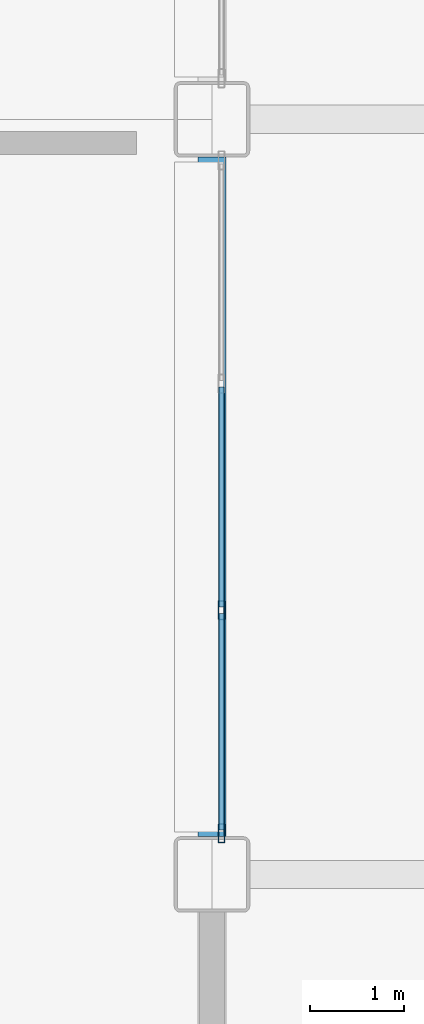
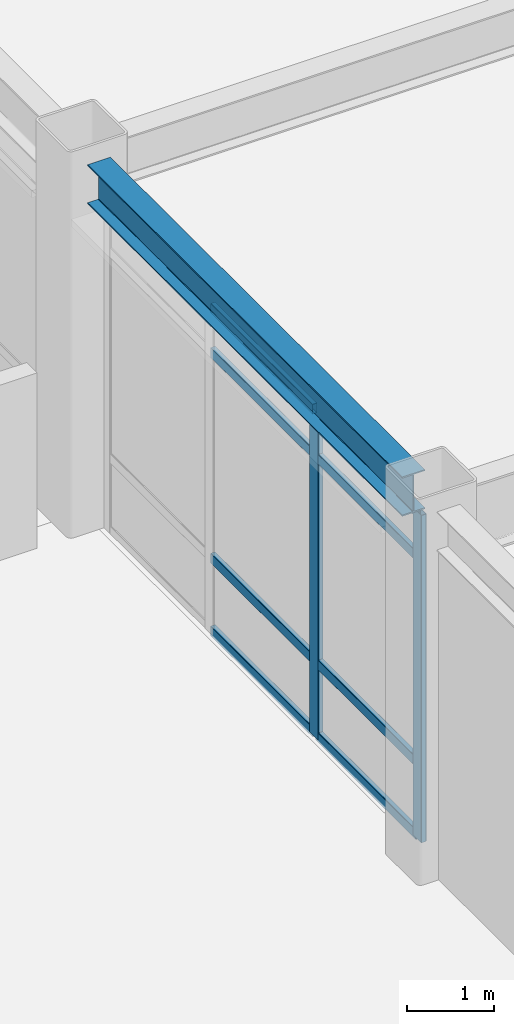
# One storey, part 103 of 165: 10 members, 1 beam, 1 element without a shape of its own.
"""IFC4 building model written with IfcOpenShell, lengths in metres."""

from ifc_helpers import new_model, si_unit, direction, frame, origin, origin_2d, place, context, subcontext, project, spatial, hollow_rectangle, i_section, extrude, material, layer, layer_set, material_profile, profile_set, type_object, element, aggregate, save


model = new_model("IFC4")

# Units and contexts
model_context = context("Model", 3, precision=1e-05, world=origin(), true_north=direction((0.0, 1.0)))
body_context = subcontext(model_context, "Body", "Model", "MODEL_VIEW")
ifc_project = project(units=[si_unit("LENGTHUNIT", "METRE"), si_unit("AREAUNIT", "SQUARE_METRE"), si_unit("VOLUMEUNIT", "CUBIC_METRE"), si_unit("PLANEANGLEUNIT", "RADIAN"), si_unit("MASSUNIT", "GRAM", prefix="KILO")], contexts=[model_context])

# Site, building, storey
site_placement = place(None, origin())
site = spatial("IfcSite", under=ifc_project, at=site_placement, CompositionType="ELEMENT")
building_placement = place(site_placement, origin())
building = spatial("IfcBuilding", under=site, at=building_placement, Name="Kazehara Bluff Congress Hotel", CompositionType="ELEMENT")
storey_placement = place(building_placement, origin())
storey = spatial("IfcBuildingStorey", under=building, at=storey_placement, Name="L00", CompositionType="ELEMENT", Elevation=0.0)

# Curtain wall, members
ifc_material_1 = material(Name="Anodised aluminium", Category="aluminium")
ifc_layer = layer(ifc_material_1, 0.159912109375)
ifc_layer_set = layer_set([ifc_layer], Name="Anodised aluminium")
curtain_wall_type = type_object("IfcCurtainWallType", Name="TP-CW-104", PredefinedType="NOTDEFINED", material=ifc_layer_set)
curtain_wall_placement = place(storey_placement, origin())
curtain_wall = element("IfcCurtainWall", 1, at=curtain_wall_placement, inside=storey, type_object=curtain_wall_type, Name="L00 curtain wall CW-104 CW-ENC-V5-L00-14380-9290", PredefinedType="NOTDEFINED")
ifc_material_2 = material(Name="Anodised aluminium", Category="aluminium")
ifc_material_profile_1 = material_profile(ifc_material_2, hollow_rectangle(XDim=0.070068359375, YDim=0.199951171875, WallThickness=0.0048828125, InnerFilletRadius=0.0048828125, OuterFilletRadius=0.010009765625, at=origin_2d()))
ifc_profile_set_1 = profile_set([ifc_material_profile_1], Name="Anodised aluminium")
member_type_1 = type_object("IfcMemberType", Name="TP-CWM-03", PredefinedType="MULLION", material=ifc_profile_set_1)
member_1_placement = place(storey_placement, frame((143.800048828125, 89.3349609375, 0.0), z_axis=(0.0, 0.0, 1.0), x_axis=(-1.0, 0.0, 0.0)))
member_1 = element("IfcMember", 2, at=member_1_placement, type_object=member_type_1, Name="CW-104 mullion 1", PredefinedType="MULLION", context=body_context, shape_type="SweptSolid", body=[
    extrude(hollow_rectangle(XDim=0.070068359375, YDim=0.199951171875, WallThickness=0.0048828125, InnerFilletRadius=0.0048828125, OuterFilletRadius=0.010009765625, at=origin_2d()), origin(), (0.0, 0.0, 1.0), 4.574951171875),
])
member_2_placement = place(storey_placement, frame((143.800048828125, 91.699951171875, 0.0), z_axis=(0.0, 0.0, 1.0), x_axis=(-1.0, 0.0, 0.0)))
member_2 = element("IfcMember", 3, at=member_2_placement, type_object=member_type_1, Name="CW-104 mullion 2", PredefinedType="MULLION", context=body_context, shape_type="SweptSolid", body=[
    extrude(hollow_rectangle(XDim=0.070068359375, YDim=0.199951171875, WallThickness=0.0048828125, InnerFilletRadius=0.0048828125, OuterFilletRadius=0.010009765625, at=origin_2d()), origin(), (0.0, 0.0, 1.0), 4.574951171875),
])
ifc_material_3 = material(Name="Anodised aluminium", Category="aluminium")
ifc_material_profile_2 = material_profile(ifc_material_3, hollow_rectangle(XDim=0.06494140625, YDim=0.139892578125, WallThickness=0.00390625, InnerFilletRadius=0.00390625, OuterFilletRadius=0.008056640625, at=origin_2d()))
ifc_profile_set_2 = profile_set([ifc_material_profile_2], Name="Anodised aluminium")
member_type_2 = type_object("IfcMemberType", Name="TP-CWT-02", PredefinedType="USERDEFINED", material=ifc_profile_set_2)
member_3_placement = place(storey_placement, frame((143.800048828125, 89.3701171875, 0.032470703125), z_axis=(0.0, 1.0, 0.0), x_axis=(-1.0, 0.0, 0.0)))
member_3 = element("IfcMember", 4, at=member_3_placement, type_object=member_type_2, Name="CW-104 transom 1.1", ObjectType="TRANSOM", PredefinedType="USERDEFINED", context=body_context, shape_type="SweptSolid", body=[
    extrude(hollow_rectangle(XDim=0.06494140625, YDim=0.139892578125, WallThickness=0.00390625, InnerFilletRadius=0.00390625, OuterFilletRadius=0.008056640625, at=origin_2d()), origin(), (0.0, 0.0, 1.0), 2.294921875),
])
member_4_placement = place(storey_placement, frame((143.800048828125, 89.3701171875, 1.050048828125), z_axis=(0.0, 1.0, 0.0), x_axis=(-1.0, 0.0, 0.0)))
member_4 = element("IfcMember", 5, at=member_4_placement, type_object=member_type_2, Name="CW-104 transom 1.2", ObjectType="TRANSOM", PredefinedType="USERDEFINED", context=body_context, shape_type="SweptSolid", body=[
    extrude(hollow_rectangle(XDim=0.06494140625, YDim=0.139892578125, WallThickness=0.00390625, InnerFilletRadius=0.00390625, OuterFilletRadius=0.008056640625, at=origin_2d()), origin(), (0.0, 0.0, 1.0), 2.294921875),
])
member_5_placement = place(storey_placement, frame((143.800048828125, 89.3701171875, 3.925048828125), z_axis=(0.0, 1.0, 0.0), x_axis=(-1.0, 0.0, 0.0)))
member_5 = element("IfcMember", 6, at=member_5_placement, type_object=member_type_2, Name="CW-104 transom 1.3", ObjectType="TRANSOM", PredefinedType="USERDEFINED", context=body_context, shape_type="SweptSolid", body=[
    extrude(hollow_rectangle(XDim=0.06494140625, YDim=0.139892578125, WallThickness=0.00390625, InnerFilletRadius=0.00390625, OuterFilletRadius=0.008056640625, at=origin_2d()), origin(), (0.0, 0.0, 1.0), 2.294921875),
])
member_6_placement = place(storey_placement, frame((143.800048828125, 89.3701171875, 4.54248046875), z_axis=(0.0, 1.0, 0.0), x_axis=(-1.0, 0.0, 0.0)))
member_6 = element("IfcMember", 7, at=member_6_placement, type_object=member_type_2, Name="CW-104 transom 1.4", ObjectType="TRANSOM", PredefinedType="USERDEFINED", context=body_context, shape_type="SweptSolid", body=[
    extrude(hollow_rectangle(XDim=0.06494140625, YDim=0.139892578125, WallThickness=0.00390625, InnerFilletRadius=0.00390625, OuterFilletRadius=0.008056640625, at=origin_2d()), origin(), (0.0, 0.0, 1.0), 2.294921875),
])
member_7_placement = place(storey_placement, frame((143.800048828125, 91.735107421875, 0.032470703125), z_axis=(0.0, 1.0, 0.0), x_axis=(-1.0, 0.0, 0.0)))
member_7 = element("IfcMember", 8, at=member_7_placement, type_object=member_type_2, Name="CW-104 transom 2.1", ObjectType="TRANSOM", PredefinedType="USERDEFINED", context=body_context, shape_type="SweptSolid", body=[
    extrude(hollow_rectangle(XDim=0.06494140625, YDim=0.139892578125, WallThickness=0.00390625, InnerFilletRadius=0.00390625, OuterFilletRadius=0.008056640625, at=origin_2d()), origin(), (0.0, 0.0, 1.0), 2.329833984375),
])
member_8_placement = place(storey_placement, frame((143.800048828125, 91.735107421875, 1.050048828125), z_axis=(0.0, 1.0, 0.0), x_axis=(-1.0, 0.0, 0.0)))
member_8 = element("IfcMember", 9, at=member_8_placement, type_object=member_type_2, Name="CW-104 transom 2.2", ObjectType="TRANSOM", PredefinedType="USERDEFINED", context=body_context, shape_type="SweptSolid", body=[
    extrude(hollow_rectangle(XDim=0.06494140625, YDim=0.139892578125, WallThickness=0.00390625, InnerFilletRadius=0.00390625, OuterFilletRadius=0.008056640625, at=origin_2d()), origin(), (0.0, 0.0, 1.0), 2.329833984375),
])
member_9_placement = place(storey_placement, frame((143.800048828125, 91.735107421875, 3.925048828125), z_axis=(0.0, 1.0, 0.0), x_axis=(-1.0, 0.0, 0.0)))
member_9 = element("IfcMember", 10, at=member_9_placement, type_object=member_type_2, Name="CW-104 transom 2.3", ObjectType="TRANSOM", PredefinedType="USERDEFINED", context=body_context, shape_type="SweptSolid", body=[
    extrude(hollow_rectangle(XDim=0.06494140625, YDim=0.139892578125, WallThickness=0.00390625, InnerFilletRadius=0.00390625, OuterFilletRadius=0.008056640625, at=origin_2d()), origin(), (0.0, 0.0, 1.0), 2.329833984375),
])
member_10_placement = place(storey_placement, frame((143.800048828125, 91.735107421875, 4.54248046875), z_axis=(0.0, 1.0, 0.0), x_axis=(-1.0, 0.0, 0.0)))
member_10 = element("IfcMember", 11, at=member_10_placement, type_object=member_type_2, Name="CW-104 transom 2.4", ObjectType="TRANSOM", PredefinedType="USERDEFINED", context=body_context, shape_type="SweptSolid", body=[
    extrude(hollow_rectangle(XDim=0.06494140625, YDim=0.139892578125, WallThickness=0.00390625, InnerFilletRadius=0.00390625, OuterFilletRadius=0.008056640625, at=origin_2d()), origin(), (0.0, 0.0, 1.0), 2.329833984375),
])
aggregate(curtain_wall, [member_1, member_2, member_3, member_4, member_5, member_6, member_7, member_8, member_9, member_10])

# Beam
ifc_material_4 = material(Name="Steel SN490B", Category="steel")
ifc_material_profile_3 = material_profile(ifc_material_4, i_section(OverallWidth=0.300048828125, OverallDepth=0.550048828125, WebThickness=0.010986328125, FlangeThickness=0.01806640625, FilletRadius=0.012939453125, at=origin_2d()))
ifc_profile_set_3 = profile_set([ifc_material_profile_3], Name="Steel SN490B")
beam_type = type_object("IfcBeamType", Name="TP-SP-01", PredefinedType="SPANDREL", material=ifc_profile_set_3)
beam_placement = place(storey_placement, frame((143.699951171875, 89.300048828125, 4.875), z_axis=(0.0, 1.0, 0.0), x_axis=(-1.0, 0.0, 0.0)))
element("IfcBeam", 12, at=beam_placement, inside=storey, type_object=beam_type, Name="L00 girder SP-01 239", PredefinedType="SPANDREL", context=body_context, shape_type="SweptSolid", body=[
    extrude(i_section(OverallWidth=0.300048828125, OverallDepth=0.550048828125, WebThickness=0.010986328125, FlangeThickness=0.01806640625, FilletRadius=0.012939453125, at=origin_2d()), origin(), (0.0, 0.0, 1.0), 7.199951171875),
])

save(model, "model.ifc")
